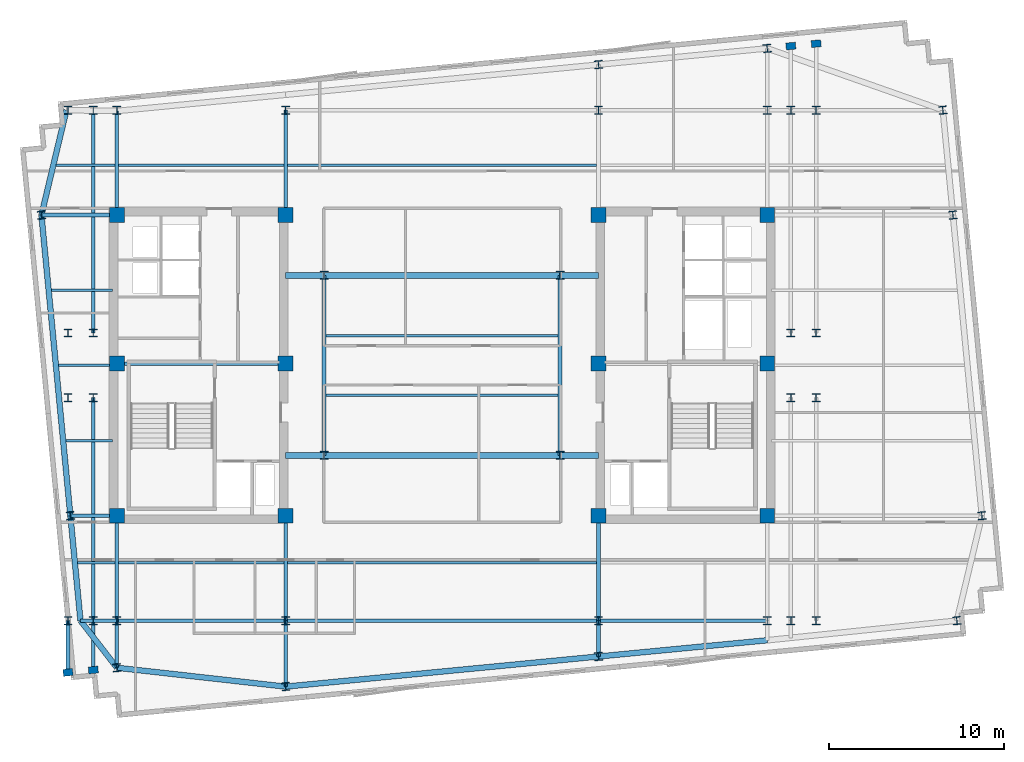
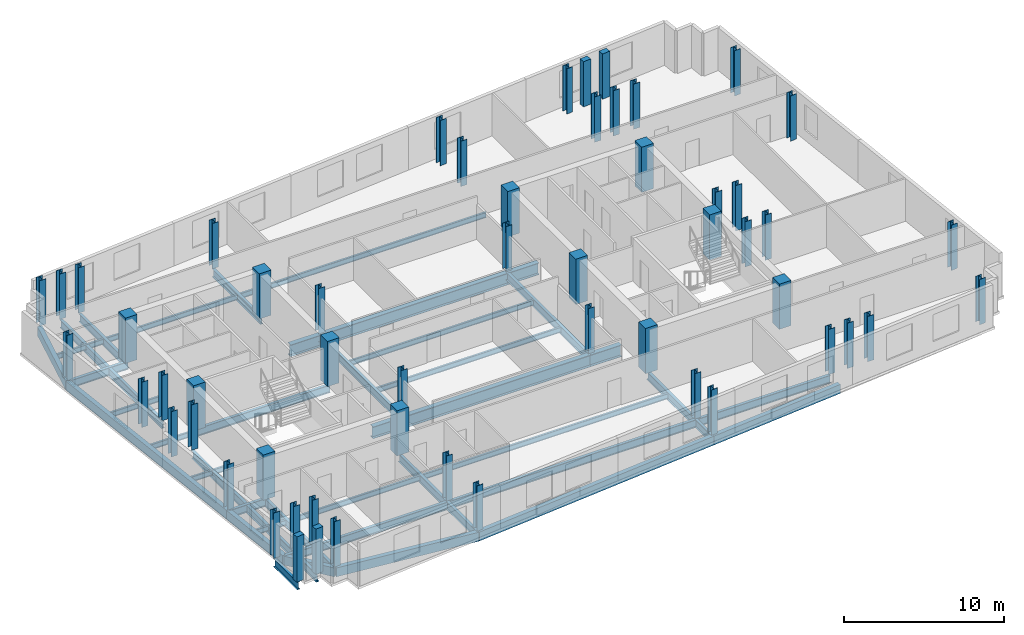
# One storey, part 1 of 8: 55 columns, 45 beams.
"""IFC4 building model written with IfcOpenShell, lengths in metres."""

from ifc_helpers import new_model, si_unit, direction, frame, origin, origin_2d, place, context, subcontext, project, spatial, rectangle, i_section, extrude, material, material_profile, profile_set, type_object, element, save


model = new_model("IFC4")

# Units and contexts
model_context = context("Model", 3, precision=1e-05, world=origin(), true_north=direction((0.0, 1.0)))
body_context = subcontext(model_context, "Body", "Model", "MODEL_VIEW")
ifc_project = project(units=[si_unit("LENGTHUNIT", "METRE"), si_unit("AREAUNIT", "SQUARE_METRE"), si_unit("VOLUMEUNIT", "CUBIC_METRE"), si_unit("PLANEANGLEUNIT", "RADIAN"), si_unit("MASSUNIT", "GRAM", prefix="KILO")], contexts=[model_context])

# Site, building, storey
site_placement = place(None, origin())
site = spatial("IfcSite", under=ifc_project, at=site_placement, CompositionType="ELEMENT")
building_placement = place(site_placement, origin())
building = spatial("IfcBuilding", under=site, at=building_placement, Name="Velakula Bourse", CompositionType="ELEMENT")
storey_placement = place(building_placement, frame((0.0, 0.0, 255.14990234375)))
storey = spatial("IfcBuildingStorey", under=building, at=storey_placement, Name="L69", CompositionType="ELEMENT", Elevation=255.14990234375)

# Columns
ifc_material_1 = material(Name="Concrete M50 (fck 50 MPa)", Category="concrete")
ifc_material_profile_1 = material_profile(ifc_material_1, rectangle(XDim=0.85009765625, YDim=0.85009765625, at=origin_2d()), Name="Concrete M50 (fck 50 MPa)")
ifc_profile_set_1 = profile_set([ifc_material_profile_1], Name="Concrete M50 (fck 50 MPa)")
column_type_1 = type_object("IfcColumnType", Name="COL-RC-850", PredefinedType="COLUMN", material=ifc_profile_set_1)
for number, where, z_axis, x_axis, name in (
    (1, (-8.949951171875, -8.60009765625, 0.0), (0.0, 0.0, 1.0), (1.0, 0.0, 0.0), "L69 Core Boundary Column 01"),
    (2, (-8.949951171875, 0.10009765625, 0.0), (0.0, 0.0, 1.0), (1.0, 0.0, 0.0), "L69 Core Boundary Column 02"),
    (3, (-8.949951171875, 8.60009765625, 0.0), (0.0, 0.0, 1.0), (1.0, 0.0, 0.0), "L69 Core Boundary Column 03"),
    (4, (-18.60009765625, -8.60009765625, 0.0), (0.0, 0.0, 1.0), (1.0, 0.0, 0.0), "L69 Core Boundary Column 04"),
    (5, (-18.60009765625, 0.10009765625, 0.0), (0.0, 0.0, 1.0), (1.0, 0.0, 0.0), "L69 Core Boundary Column 05"),
    (6, (-18.60009765625, 8.60009765625, 0.0), (0.0, 0.0, 1.0), (1.0, 0.0, 0.0), "L69 Core Boundary Column 06"),
    (7, (8.949951171875, -8.60009765625, 0.0), (0.0, 0.0, 1.0), (1.0, 0.0, 0.0), "L69 Core Boundary Column 07"),
    (8, (8.949951171875, 0.10009765625, 0.0), (0.0, 0.0, 1.0), (1.0, 0.0, 0.0), "L69 Core Boundary Column 08"),
    (9, (8.949951171875, 8.60009765625, 0.0), (0.0, 0.0, 1.0), (1.0, 0.0, 0.0), "L69 Core Boundary Column 09"),
    (10, (18.60009765625, -8.60009765625, 0.0), (0.0, 0.0, 1.0), (1.0, 0.0, 0.0), "L69 Core Boundary Column 10"),
    (11, (18.60009765625, 0.10009765625, 0.0), (0.0, 0.0, 1.0), (1.0, 0.0, 0.0), "L69 Core Boundary Column 11"),
    (12, (18.60009765625, 8.60009765625, 0.0), (0.0, 0.0, 1.0), (1.0, 0.0, 0.0), "L69 Core Boundary Column 12"),
):
    element("IfcColumn", number, at=place(storey_placement, frame(where, z_axis=z_axis, x_axis=x_axis)), inside=storey, type_object=column_type_1, Name=name, PredefinedType="COLUMN", context=body_context, shape_type="SweptSolid", body=[
        extrude(rectangle(XDim=0.85009765625, YDim=0.85009765625, at=origin_2d()), origin(), (0.0, 0.0, 1.0), 3.4501953125),
    ])
ifc_material_2 = material(Name="Steel IS 2062 Grade 350 (E350)", Category="steel")
ifc_material_profile_2 = material_profile(ifc_material_2, i_section(OverallWidth=0.449951171875, OverallDepth=0.449951171875, WebThickness=0.02197265625, FlangeThickness=0.031982421875, at=origin_2d()), Name="Steel IS 2062 Grade 350 (E350)")
ifc_profile_set_2 = profile_set([ifc_material_profile_2], Name="Steel IS 2062 Grade 350 (E350)")
column_type_2 = type_object("IfcColumnType", Name="COL-STL-450", PredefinedType="COLUMN", material=ifc_profile_set_2)
for number, where, z_axis, x_axis, name in (
    (13, (-6.75, -5.14990234375, 0.0), (0.0, 0.0, 1.0), (1.0, 0.0, 0.0), "L69 Central Spine Column 01"),
    (14, (-6.75, 5.14990234375, 0.0), (0.0, 0.0, 1.0), (1.0, 0.0, 0.0), "L69 Central Spine Column 02"),
    (15, (6.75, -5.14990234375, 0.0), (0.0, 0.0, 1.0), (1.0, 0.0, 0.0), "L69 Central Spine Column 03"),
    (16, (6.75, 5.14990234375, 0.0), (0.0, 0.0, 1.0), (1.0, 0.0, 0.0), "L69 Central Spine Column 04"),
    (17, (-21.39990234375, -14.60009765625, 0.0), (0.0, 0.0, 1.0), (1.0, 0.0, 0.0), "L69 Tower Fulcrum Column 01"),
    (18, (-21.39990234375, 14.60009765625, 0.0), (0.0, 0.0, 1.0), (1.0, 0.0, 0.0), "L69 Tower Fulcrum Column 02"),
    (19, (-19.949951171875, -14.60009765625, 0.0), (0.0, 0.0, 1.0), (1.0, 0.0, 0.0), "L69 Tower Fulcrum Column 03"),
    (20, (-19.949951171875, 14.60009765625, 0.0), (0.0, 0.0, 1.0), (1.0, 0.0, 0.0), "L69 Tower Fulcrum Column 04"),
    (21, (-18.60009765625, -14.60009765625, 0.0), (0.0, 0.0, 1.0), (1.0, 0.0, 0.0), "L69 Tower Fulcrum Column 05"),
    (22, (-18.60009765625, 14.60009765625, 0.0), (0.0, 0.0, 1.0), (1.0, 0.0, 0.0), "L69 Tower Fulcrum Column 06"),
    (23, (-8.949951171875, -14.60009765625, 0.0), (0.0, 0.0, 1.0), (1.0, 0.0, 0.0), "L69 Tower Fulcrum Column 07"),
    (24, (-8.949951171875, 14.60009765625, 0.0), (0.0, 0.0, 1.0), (1.0, 0.0, 0.0), "L69 Tower Fulcrum Column 08"),
    (25, (8.949951171875, -14.60009765625, 0.0), (0.0, 0.0, 1.0), (1.0, 0.0, 0.0), "L69 Tower Fulcrum Column 09"),
    (26, (8.949951171875, 14.60009765625, 0.0), (0.0, 0.0, 1.0), (1.0, 0.0, 0.0), "L69 Tower Fulcrum Column 10"),
    (27, (18.60009765625, -14.60009765625, 0.0), (0.0, 0.0, 1.0), (1.0, 0.0, 0.0), "L69 Tower Fulcrum Column 11"),
    (28, (18.60009765625, 14.60009765625, 0.0), (0.0, 0.0, 1.0), (1.0, 0.0, 0.0), "L69 Tower Fulcrum Column 12"),
    (29, (19.949951171875, -14.60009765625, 0.0), (0.0, 0.0, 1.0), (1.0, 0.0, 0.0), "L69 Tower Fulcrum Column 13"),
    (30, (19.949951171875, 14.60009765625, 0.0), (0.0, 0.0, 1.0), (1.0, 0.0, 0.0), "L69 Tower Fulcrum Column 14"),
    (31, (21.39990234375, -14.60009765625, 0.0), (0.0, 0.0, 1.0), (1.0, 0.0, 0.0), "L69 Tower Fulcrum Column 15"),
    (32, (21.39990234375, 14.60009765625, 0.0), (0.0, 0.0, 1.0), (1.0, 0.0, 0.0), "L69 Tower Fulcrum Column 16"),
    (33, (-21.39990234375, -1.85009765625, 0.0), (0.0, 0.0, 1.0), (1.0, 0.0, 0.0), "L69 Tower Fulcrum Column 17"),
    (34, (-21.39990234375, 1.85009765625, 0.0), (0.0, 0.0, 1.0), (1.0, 0.0, 0.0), "L69 Tower Fulcrum Column 18"),
    (35, (-19.949951171875, -1.85009765625, 0.0), (0.0, 0.0, 1.0), (1.0, 0.0, 0.0), "L69 Tower Fulcrum Column 19"),
    (36, (-19.949951171875, 1.85009765625, 0.0), (0.0, 0.0, 1.0), (1.0, 0.0, 0.0), "L69 Tower Fulcrum Column 20"),
    (37, (19.949951171875, -1.85009765625, 0.0), (0.0, 0.0, 1.0), (1.0, 0.0, 0.0), "L69 Tower Fulcrum Column 21"),
    (38, (19.949951171875, 1.85009765625, 0.0), (0.0, 0.0, 1.0), (1.0, 0.0, 0.0), "L69 Tower Fulcrum Column 22"),
    (39, (21.39990234375, -1.85009765625, 0.0), (0.0, 0.0, 1.0), (1.0, 0.0, 0.0), "L69 Tower Fulcrum Column 23"),
    (40, (21.39990234375, 1.85009765625, 0.0), (0.0, 0.0, 1.0), (1.0, 0.0, 0.0), "L69 Tower Fulcrum Column 24"),
    (41, (-18.60009765625, -17.294921875, 0.0), (0.0, 0.0, 1.0), (0.995396198367, 0.09584575252, 0.0), "L69 Block B6 Perimeter Column S1"),
    (42, (-8.949951171875, -18.375, 0.0), (0.0, 0.0, 1.0), (0.995396198367, 0.09584575252, 0.0), "L69 Block B6 Perimeter Column S2"),
    (43, (8.949951171875, -16.6513671875, 0.0), (0.0, 0.0, 1.0), (0.995396198367, 0.09584575252, 0.0), "L69 Block B6 Perimeter Column S3"),
    (44, (8.949951171875, 17.20458984375, 0.0), (0.0, 0.0, 1.0), (0.995396198367, 0.09584575252, 0.0), "L69 Block B6 Perimeter Column N3"),
    (45, (18.60009765625, 18.1337890625, 0.0), (0.0, 0.0, 1.0), (0.995396198367, 0.09584575252, 0.0), "L69 Block B6 Perimeter Column N4"),
    (46, (-21.26123046875, -8.60009765625, 0.0), (0.0, 0.0, 1.0), (0.995396198367, 0.09584575252, 0.0), "L69 Block B6 Perimeter Column W2"),
    (47, (-22.91748046875, 8.60009765625, 0.0), (0.0, 0.0, 1.0), (0.995396198367, 0.09584575252, 0.0), "L69 Block B6 Perimeter Column W3"),
    (48, (29.447265625, -14.60009765625, 0.0), (0.0, 0.0, 1.0), (0.995396198367, 0.09584575252, 0.0), "L69 Block B6 Perimeter Column E1"),
    (49, (30.87890625, -8.60009765625, 0.0), (0.0, 0.0, 1.0), (0.995396198367, 0.09584575252, 0.0), "L69 Block B6 Perimeter Column E2"),
    (50, (29.22265625, 8.60009765625, 0.0), (0.0, 0.0, 1.0), (0.995396198367, 0.09584575252, 0.0), "L69 Block B6 Perimeter Column E3"),
    (51, (28.64501953125, 14.60009765625, 0.0), (0.0, 0.0, 1.0), (0.995396198367, 0.09584575252, 0.0), "L69 Block B6 Perimeter Column E4"),
):
    element("IfcColumn", number, at=place(storey_placement, frame(where, z_axis=z_axis, x_axis=x_axis)), inside=storey, type_object=column_type_2, Name=name, PredefinedType="COLUMN", context=body_context, shape_type="SweptSolid", body=[
        extrude(i_section(OverallWidth=0.449951171875, OverallDepth=0.449951171875, WebThickness=0.02197265625, FlangeThickness=0.031982421875, at=origin_2d()), origin(), (0.0, 0.0, 1.0), 3.4501953125),
    ])
ifc_material_3 = material(Name="Precast concrete M45 (fck 45 MPa)", Category="concrete")
ifc_material_profile_3 = material_profile(ifc_material_3, rectangle(XDim=0.550048828125, YDim=0.39990234375, at=origin_2d()), Name="Precast concrete M45 (fck 45 MPa)")
ifc_profile_set_3 = profile_set([ifc_material_profile_3], Name="Precast concrete M45 (fck 45 MPa)")
column_type_3 = type_object("IfcColumnType", Name="PIL-BRICK-550", PredefinedType="PILASTER", material=ifc_profile_set_3)
for number, where, z_axis, x_axis, name in (
    (52, (-21.39990234375, -17.564453125, 0.0), (0.0, 0.0, 1.0), (0.995396198367, 0.09584575252, 0.0), "L69 Brick Pier Pilaster 01"),
    (53, (-19.949951171875, -17.4248046875, 0.0), (0.0, 0.0, 1.0), (0.995396198367, 0.09584575252, 0.0), "L69 Brick Pier Pilaster 02"),
    (54, (19.949951171875, 18.263671875, 0.0), (0.0, 0.0, 1.0), (0.995396198367, 0.09584575252, 0.0), "L69 Brick Pier Pilaster 07"),
    (55, (21.39990234375, 18.4033203125, 0.0), (0.0, 0.0, 1.0), (0.995396198367, 0.09584575252, 0.0), "L69 Brick Pier Pilaster 08"),
):
    element("IfcColumn", number, at=place(storey_placement, frame(where, z_axis=z_axis, x_axis=x_axis)), inside=storey, type_object=column_type_3, Name=name, PredefinedType="PILASTER", context=body_context, shape_type="SweptSolid", body=[
        extrude(rectangle(XDim=0.550048828125, YDim=0.39990234375, at=origin_2d()), origin(), (0.0, 0.0, 1.0), 3.4501953125),
    ])

# Beams
ifc_material_profile_4 = material_profile(ifc_material_2, i_section(OverallWidth=0.2099609375, OverallDepth=0.60009765625, WebThickness=0.011962890625, FlangeThickness=0.020751953125, at=origin_2d()), Name="Steel IS 2062 Grade 350 (E350)")
ifc_profile_set_4 = profile_set([ifc_material_profile_4], Name="Steel IS 2062 Grade 350 (E350)")
beam_type_1 = type_object("IfcBeamType", Name="BM-GRD-600L", PredefinedType="BEAM", material=ifc_profile_set_4)
beam_1_placement = place(storey_placement, frame((-18.60009765625, 0.10009765625, -0.47998046875), z_axis=(1.0, 0.0, 0.0), x_axis=(0.0, 1.0, 0.0)))
element("IfcBeam", 56, at=beam_1_placement, inside=storey, type_object=beam_type_1, Name="L69 Primary Backbone Girder CRW-M", PredefinedType="BEAM", context=body_context, shape_type="SweptSolid", body=[
    extrude(i_section(OverallWidth=0.2099609375, OverallDepth=0.60009765625, WebThickness=0.011962890625, FlangeThickness=0.020751953125, at=origin_2d()), origin(), (0.0, 0.0, 1.0), 9.650146484375),
])
for number, where, z_axis, x_axis, name in (
    (57, (-6.75, -5.14990234375, -0.47998046875), (0.0, 1.0, 0.0), (-1.0, 0.0, 0.0), "L69 Primary Backbone Girder SPN-W"),
    (58, (6.75, -5.14990234375, -0.47998046875), (0.0, 1.0, 0.0), (-1.0, 0.0, 0.0), "L69 Primary Backbone Girder SPN-E"),
):
    element("IfcBeam", number, at=place(storey_placement, frame(where, z_axis=z_axis, x_axis=x_axis)), inside=storey, type_object=beam_type_1, Name=name, PredefinedType="BEAM", context=body_context, shape_type="SweptSolid", body=[
        extrude(i_section(OverallWidth=0.2099609375, OverallDepth=0.60009765625, WebThickness=0.011962890625, FlangeThickness=0.020751953125, at=origin_2d()), origin(), (0.0, 0.0, 1.0), 10.2998046875),
    ])
beam_2_placement = place(storey_placement, frame((-18.60009765625, -14.60009765625, -0.47998046875), z_axis=(0.0, 1.0, 0.0), x_axis=(-1.0, 0.0, 0.0)))
element("IfcBeam", 59, at=beam_2_placement, inside=storey, type_object=beam_type_1, Name="L69 Fulcrum Grid Girder FLC-WS", PredefinedType="BEAM", context=body_context, shape_type="SweptSolid", body=[
    extrude(i_section(OverallWidth=0.2099609375, OverallDepth=0.60009765625, WebThickness=0.011962890625, FlangeThickness=0.020751953125, at=origin_2d()), origin(), (0.0, 0.0, 1.0), 6.0),
])
beam_3_placement = place(storey_placement, frame((-18.60009765625, 8.60009765625, -0.47998046875), z_axis=(0.0, 1.0, 0.0), x_axis=(-1.0, 0.0, 0.0)))
element("IfcBeam", 60, at=beam_3_placement, inside=storey, type_object=beam_type_1, Name="L69 Fulcrum Grid Girder FLC-WN", PredefinedType="BEAM", context=body_context, shape_type="SweptSolid", body=[
    extrude(i_section(OverallWidth=0.2099609375, OverallDepth=0.60009765625, WebThickness=0.011962890625, FlangeThickness=0.020751953125, at=origin_2d()), origin(), (0.0, 0.0, 1.0), 5.95166015625),
])
for number, where, z_axis, x_axis, name in (
    (61, (-8.949951171875, -14.60009765625, -0.47998046875), (0.0, 1.0, 0.0), (-1.0, 0.0, 0.0), "L69 Fulcrum Grid Girder FLC-WCS"),
    (62, (-8.949951171875, 8.60009765625, -0.47998046875), (0.0, 1.0, 0.0), (-1.0, 0.0, 0.0), "L69 Fulcrum Grid Girder FLC-WCN"),
    (63, (8.949951171875, -14.60009765625, -0.47998046875), (0.0, 1.0, 0.0), (-1.0, 0.0, 0.0), "L69 Fulcrum Grid Girder FLC-ECS"),
):
    element("IfcBeam", number, at=place(storey_placement, frame(where, z_axis=z_axis, x_axis=x_axis)), inside=storey, type_object=beam_type_1, Name=name, PredefinedType="BEAM", context=body_context, shape_type="SweptSolid", body=[
        extrude(i_section(OverallWidth=0.2099609375, OverallDepth=0.60009765625, WebThickness=0.011962890625, FlangeThickness=0.020751953125, at=origin_2d()), origin(), (0.0, 0.0, 1.0), 6.0),
    ])
beam_4_placement = place(storey_placement, frame((-18.60009765625, -14.60009765625, -0.47998046875), z_axis=(1.0, 0.0, 0.0), x_axis=(0.0, 1.0, 0.0)))
element("IfcBeam", 64, at=beam_4_placement, inside=storey, type_object=beam_type_1, Name="L69 Fulcrum Grid Girder FLC-S1", PredefinedType="BEAM", context=body_context, shape_type="SweptSolid", body=[
    extrude(i_section(OverallWidth=0.2099609375, OverallDepth=0.60009765625, WebThickness=0.011962890625, FlangeThickness=0.020751953125, at=origin_2d()), origin(), (0.0, 0.0, 1.0), 9.650146484375),
])
beam_5_placement = place(storey_placement, frame((-8.949951171875, -14.60009765625, -0.47998046875), z_axis=(1.0, 0.0, 0.0), x_axis=(0.0, 1.0, 0.0)))
element("IfcBeam", 65, at=beam_5_placement, inside=storey, type_object=beam_type_1, Name="L69 Fulcrum Grid Girder FLC-S2", PredefinedType="BEAM", context=body_context, shape_type="SweptSolid", body=[
    extrude(i_section(OverallWidth=0.2099609375, OverallDepth=0.60009765625, WebThickness=0.011962890625, FlangeThickness=0.020751953125, at=origin_2d()), origin(), (0.0, 0.0, 1.0), 17.89990234375),
])
beam_6_placement = place(storey_placement, frame((8.949951171875, -14.60009765625, -0.47998046875), z_axis=(1.0, 0.0, 0.0), x_axis=(0.0, 1.0, 0.0)))
element("IfcBeam", 66, at=beam_6_placement, inside=storey, type_object=beam_type_1, Name="L69 Fulcrum Grid Girder FLC-S3", PredefinedType="BEAM", context=body_context, shape_type="SweptSolid", body=[
    extrude(i_section(OverallWidth=0.2099609375, OverallDepth=0.60009765625, WebThickness=0.011962890625, FlangeThickness=0.020751953125, at=origin_2d()), origin(), (0.0, 0.0, 1.0), 9.650146484375),
])
beam_7_placement = place(storey_placement, frame((-19.949951171875, -14.60009765625, -0.47998046875), z_axis=(0.0, 1.0, 0.0), x_axis=(-1.0, 0.0, 0.0)))
element("IfcBeam", 67, at=beam_7_placement, inside=storey, type_object=beam_type_1, Name="L69 Fulcrum Grid Girder FLC-PSW2", PredefinedType="BEAM", context=body_context, shape_type="SweptSolid", body=[
    extrude(i_section(OverallWidth=0.2099609375, OverallDepth=0.60009765625, WebThickness=0.011962890625, FlangeThickness=0.020751953125, at=origin_2d()), origin(), (0.0, 0.0, 1.0), 12.75),
])
beam_8_placement = place(storey_placement, frame((-19.949951171875, 1.85009765625, -0.47998046875), z_axis=(0.0, 1.0, 0.0), x_axis=(-1.0, 0.0, 0.0)))
element("IfcBeam", 68, at=beam_8_placement, inside=storey, type_object=beam_type_1, Name="L69 Fulcrum Grid Girder FLC-PNW2", PredefinedType="BEAM", context=body_context, shape_type="SweptSolid", body=[
    extrude(i_section(OverallWidth=0.2099609375, OverallDepth=0.60009765625, WebThickness=0.011962890625, FlangeThickness=0.020751953125, at=origin_2d()), origin(), (0.0, 0.0, 1.0), 12.72412109375),
])
beam_9_placement = place(storey_placement, frame((-18.60009765625, -14.60009765625, -0.47998046875), z_axis=(0.0, -1.0, 0.0), x_axis=(1.0, 0.0, 0.0)))
element("IfcBeam", 69, at=beam_9_placement, inside=storey, type_object=beam_type_1, Name="L69 Perimeter Tie Girder S1", PredefinedType="BEAM", context=body_context, shape_type="SweptSolid", body=[
    extrude(i_section(OverallWidth=0.2099609375, OverallDepth=0.60009765625, WebThickness=0.011962890625, FlangeThickness=0.020751953125, at=origin_2d()), origin(), (0.0, 0.0, 1.0), 2.69482421875),
])
beam_10_placement = place(storey_placement, frame((-8.949951171875, -14.60009765625, -0.47998046875), z_axis=(0.0, -1.0, 0.0), x_axis=(1.0, 0.0, 0.0)))
element("IfcBeam", 70, at=beam_10_placement, inside=storey, type_object=beam_type_1, Name="L69 Perimeter Tie Girder S2", PredefinedType="BEAM", context=body_context, shape_type="SweptSolid", body=[
    extrude(i_section(OverallWidth=0.2099609375, OverallDepth=0.60009765625, WebThickness=0.011962890625, FlangeThickness=0.020751953125, at=origin_2d()), origin(), (0.0, 0.0, 1.0), 3.77490234375),
])
beam_11_placement = place(storey_placement, frame((8.949951171875, -14.60009765625, -0.47998046875), z_axis=(0.0, -1.0, 0.0), x_axis=(1.0, 0.0, 0.0)))
element("IfcBeam", 71, at=beam_11_placement, inside=storey, type_object=beam_type_1, Name="L69 Perimeter Tie Girder S3", PredefinedType="BEAM", context=body_context, shape_type="SweptSolid", body=[
    extrude(i_section(OverallWidth=0.2099609375, OverallDepth=0.60009765625, WebThickness=0.011962890625, FlangeThickness=0.020751953125, at=origin_2d()), origin(), (0.0, 0.0, 1.0), 2.05126953125),
])
beam_12_placement = place(storey_placement, frame((-18.60009765625, -14.60009765625, -0.47998046875), z_axis=(-1.0, 0.0, 0.0), x_axis=(0.0, -1.0, 0.0)))
element("IfcBeam", 72, at=beam_12_placement, inside=storey, type_object=beam_type_1, Name="L69 Perimeter Tie Girder W1", PredefinedType="BEAM", context=body_context, shape_type="SweptSolid", body=[
    extrude(i_section(OverallWidth=0.2099609375, OverallDepth=0.60009765625, WebThickness=0.011962890625, FlangeThickness=0.020751953125, at=origin_2d()), origin(), (0.0, 0.0, 1.0), 2.08349609375),
])
beam_13_placement = place(storey_placement, frame((-18.60009765625, -8.60009765625, -0.47998046875), z_axis=(-1.0, 0.0, 0.0), x_axis=(0.0, -1.0, 0.0)))
element("IfcBeam", 73, at=beam_13_placement, inside=storey, type_object=beam_type_1, Name="L69 Perimeter Tie Girder W2", PredefinedType="BEAM", context=body_context, shape_type="SweptSolid", body=[
    extrude(i_section(OverallWidth=0.2099609375, OverallDepth=0.60009765625, WebThickness=0.011962890625, FlangeThickness=0.020751953125, at=origin_2d()), origin(), (0.0, 0.0, 1.0), 2.6611328125),
])
beam_14_placement = place(storey_placement, frame((-18.60009765625, 8.60009765625, -0.47998046875), z_axis=(-1.0, 0.0, 0.0), x_axis=(0.0, -1.0, 0.0)))
element("IfcBeam", 74, at=beam_14_placement, inside=storey, type_object=beam_type_1, Name="L69 Perimeter Tie Girder W3", PredefinedType="BEAM", context=body_context, shape_type="SweptSolid", body=[
    extrude(i_section(OverallWidth=0.2099609375, OverallDepth=0.60009765625, WebThickness=0.011962890625, FlangeThickness=0.020751953125, at=origin_2d()), origin(), (0.0, 0.0, 1.0), 4.3173828125),
])
beam_15_placement = place(storey_placement, frame((-21.39990234375, -14.60009765625, -0.47998046875), z_axis=(0.0, -1.0, 0.0), x_axis=(1.0, 0.0, 0.0)))
element("IfcBeam", 75, at=beam_15_placement, inside=storey, type_object=beam_type_1, Name="L69 Perimeter Tie Girder P01", PredefinedType="BEAM", context=body_context, shape_type="SweptSolid", body=[
    extrude(i_section(OverallWidth=0.2099609375, OverallDepth=0.60009765625, WebThickness=0.011962890625, FlangeThickness=0.020751953125, at=origin_2d()), origin(), (0.0, 0.0, 1.0), 2.96435546875),
])
beam_16_placement = place(storey_placement, frame((-19.949951171875, -14.60009765625, -0.47998046875), z_axis=(0.0, -1.0, 0.0), x_axis=(1.0, 0.0, 0.0)))
element("IfcBeam", 76, at=beam_16_placement, inside=storey, type_object=beam_type_1, Name="L69 Perimeter Tie Girder P02", PredefinedType="BEAM", context=body_context, shape_type="SweptSolid", body=[
    extrude(i_section(OverallWidth=0.2099609375, OverallDepth=0.60009765625, WebThickness=0.011962890625, FlangeThickness=0.020751953125, at=origin_2d()), origin(), (0.0, 0.0, 1.0), 2.82470703125),
])
ifc_material_profile_5 = material_profile(ifc_material_2, i_section(OverallWidth=0.35009765625, OverallDepth=0.89990234375, WebThickness=0.02001953125, FlangeThickness=0.031982421875, at=origin_2d()), Name="Steel IS 2062 Grade 350 (E350)")
ifc_profile_set_5 = profile_set([ifc_material_profile_5], Name="Steel IS 2062 Grade 350 (E350)")
beam_type_2 = type_object("IfcBeamType", Name="BM-LNK-900", PredefinedType="BEAM", material=ifc_profile_set_5)
beam_17_placement = place(storey_placement, frame((-8.949951171875, -5.14990234375, -0.6298828125), z_axis=(1.0, 0.0, 0.0), x_axis=(0.0, 1.0, 0.0)))
element("IfcBeam", 77, at=beam_17_placement, inside=storey, type_object=beam_type_2, Name="L69 Primary Backbone Girder LNK-S1", PredefinedType="BEAM", context=body_context, shape_type="SweptSolid", body=[
    extrude(i_section(OverallWidth=0.35009765625, OverallDepth=0.89990234375, WebThickness=0.02001953125, FlangeThickness=0.031982421875, at=origin_2d()), origin(), (0.0, 0.0, 1.0), 2.199951171875),
])
beam_18_placement = place(storey_placement, frame((-6.75, -5.14990234375, -0.6298828125), z_axis=(1.0, 0.0, 0.0), x_axis=(0.0, 1.0, 0.0)))
element("IfcBeam", 78, at=beam_18_placement, inside=storey, type_object=beam_type_2, Name="L69 Primary Backbone Girder LNK-S2", PredefinedType="BEAM", context=body_context, shape_type="SweptSolid", body=[
    extrude(i_section(OverallWidth=0.35009765625, OverallDepth=0.89990234375, WebThickness=0.02001953125, FlangeThickness=0.031982421875, at=origin_2d()), origin(), (0.0, 0.0, 1.0), 13.5),
])
for number, where, z_axis, x_axis, name in (
    (79, (6.75, -5.14990234375, -0.6298828125), (1.0, 0.0, 0.0), (0.0, 1.0, 0.0), "L69 Primary Backbone Girder LNK-S3"),
    (80, (-8.949951171875, 5.14990234375, -0.6298828125), (1.0, 0.0, 0.0), (0.0, 1.0, 0.0), "L69 Primary Backbone Girder LNK-N1"),
):
    element("IfcBeam", number, at=place(storey_placement, frame(where, z_axis=z_axis, x_axis=x_axis)), inside=storey, type_object=beam_type_2, Name=name, PredefinedType="BEAM", context=body_context, shape_type="SweptSolid", body=[
        extrude(i_section(OverallWidth=0.35009765625, OverallDepth=0.89990234375, WebThickness=0.02001953125, FlangeThickness=0.031982421875, at=origin_2d()), origin(), (0.0, 0.0, 1.0), 2.199951171875),
    ])
beam_19_placement = place(storey_placement, frame((-6.75, 5.14990234375, -0.6298828125), z_axis=(1.0, 0.0, 0.0), x_axis=(0.0, 1.0, 0.0)))
element("IfcBeam", 81, at=beam_19_placement, inside=storey, type_object=beam_type_2, Name="L69 Primary Backbone Girder LNK-N2", PredefinedType="BEAM", context=body_context, shape_type="SweptSolid", body=[
    extrude(i_section(OverallWidth=0.35009765625, OverallDepth=0.89990234375, WebThickness=0.02001953125, FlangeThickness=0.031982421875, at=origin_2d()), origin(), (0.0, 0.0, 1.0), 13.5),
])
beam_20_placement = place(storey_placement, frame((6.75, 5.14990234375, -0.6298828125), z_axis=(1.0, 0.0, 0.0), x_axis=(0.0, 1.0, 0.0)))
element("IfcBeam", 82, at=beam_20_placement, inside=storey, type_object=beam_type_2, Name="L69 Primary Backbone Girder LNK-N3", PredefinedType="BEAM", context=body_context, shape_type="SweptSolid", body=[
    extrude(i_section(OverallWidth=0.35009765625, OverallDepth=0.89990234375, WebThickness=0.02001953125, FlangeThickness=0.031982421875, at=origin_2d()), origin(), (0.0, 0.0, 1.0), 2.199951171875),
])
ifc_material_profile_6 = material_profile(ifc_material_2, i_section(OverallWidth=0.139892578125, OverallDepth=0.39990234375, WebThickness=0.0087890625, FlangeThickness=0.01611328125, at=origin_2d()), Name="Steel IS 2062 Grade 350 (E350)")
ifc_profile_set_6 = profile_set([ifc_material_profile_6], Name="Steel IS 2062 Grade 350 (E350)")
beam_type_3 = type_object("IfcBeamType", Name="JST-TWR-400", PredefinedType="JOIST", material=ifc_profile_set_6)
beam_21_placement = place(storey_placement, frame((-20.840576171875, -11.300048828125, -0.3798828125), z_axis=(1.0, 0.0, 0.0), x_axis=(0.0, 1.0, 0.0)))
element("IfcBeam", 83, at=beam_21_placement, inside=storey, type_object=beam_type_3, Name="L69 Trading Floor Composite Joist 03", PredefinedType="JOIST", context=body_context, shape_type="SweptSolid", body=[
    extrude(i_section(OverallWidth=0.139892578125, OverallDepth=0.39990234375, WebThickness=0.0087890625, FlangeThickness=0.01611328125, at=origin_2d()), origin(), (0.0, 0.0, 1.0), 2.135498046875),
])
beam_22_placement = place(storey_placement, frame((-18.4951171875, -11.300048828125, -0.3798828125), z_axis=(1.0, 0.0, 0.0), x_axis=(0.0, 1.0, 0.0)))
element("IfcBeam", 84, at=beam_22_placement, inside=storey, type_object=beam_type_3, Name="L69 Trading Floor Composite Joist 04", PredefinedType="JOIST", context=body_context, shape_type="SweptSolid", body=[
    extrude(i_section(OverallWidth=0.139892578125, OverallDepth=0.39990234375, WebThickness=0.0087890625, FlangeThickness=0.01611328125, at=origin_2d()), origin(), (0.0, 0.0, 1.0), 9.440185546875),
])
beam_23_placement = place(storey_placement, frame((-8.844970703125, -11.300048828125, -0.3798828125), z_axis=(1.0, 0.0, 0.0), x_axis=(0.0, 1.0, 0.0)))
element("IfcBeam", 85, at=beam_23_placement, inside=storey, type_object=beam_type_3, Name="L69 Trading Floor Composite Joist 05", PredefinedType="JOIST", context=body_context, shape_type="SweptSolid", body=[
    extrude(i_section(OverallWidth=0.139892578125, OverallDepth=0.39990234375, WebThickness=0.0087890625, FlangeThickness=0.01611328125, at=origin_2d()), origin(), (0.0, 0.0, 1.0), 17.68994140625),
])
beam_24_placement = place(storey_placement, frame((-22.072998046875, 11.449951171875, -0.3798828125), z_axis=(1.0, 0.0, 0.0), x_axis=(0.0, 1.0, 0.0)))
element("IfcBeam", 86, at=beam_24_placement, inside=storey, type_object=beam_type_3, Name="L69 Trading Floor Composite Joist 08", PredefinedType="JOIST", context=body_context, shape_type="SweptSolid", body=[
    extrude(i_section(OverallWidth=0.139892578125, OverallDepth=0.39990234375, WebThickness=0.0087890625, FlangeThickness=0.01611328125, at=origin_2d()), origin(), (0.0, 0.0, 1.0), 3.367919921875),
])
beam_25_placement = place(storey_placement, frame((-18.4951171875, 11.449951171875, -0.3798828125), z_axis=(1.0, 0.0, 0.0), x_axis=(0.0, 1.0, 0.0)))
element("IfcBeam", 87, at=beam_25_placement, inside=storey, type_object=beam_type_3, Name="L69 Trading Floor Composite Joist 09", PredefinedType="JOIST", context=body_context, shape_type="SweptSolid", body=[
    extrude(i_section(OverallWidth=0.139892578125, OverallDepth=0.39990234375, WebThickness=0.0087890625, FlangeThickness=0.01611328125, at=origin_2d()), origin(), (0.0, 0.0, 1.0), 9.440185546875),
])
beam_26_placement = place(storey_placement, frame((-8.844970703125, 11.449951171875, -0.3798828125), z_axis=(1.0, 0.0, 0.0), x_axis=(0.0, 1.0, 0.0)))
element("IfcBeam", 88, at=beam_26_placement, inside=storey, type_object=beam_type_3, Name="L69 Trading Floor Composite Joist 10", PredefinedType="JOIST", context=body_context, shape_type="SweptSolid", body=[
    extrude(i_section(OverallWidth=0.139892578125, OverallDepth=0.39990234375, WebThickness=0.0087890625, FlangeThickness=0.01611328125, at=origin_2d()), origin(), (0.0, 0.0, 1.0), 17.68994140625),
])
for number, where, z_axis, x_axis, name in (
    (89, (-6.64501953125, -1.699951171875, -0.3798828125), (1.0, 0.0, 0.0), (0.0, 1.0, 0.0), "L69 Trading Floor Composite Joist 14"),
    (90, (-6.64501953125, 1.699951171875, -0.3798828125), (1.0, 0.0, 0.0), (0.0, 1.0, 0.0), "L69 Trading Floor Composite Joist 15"),
):
    element("IfcBeam", number, at=place(storey_placement, frame(where, z_axis=z_axis, x_axis=x_axis)), inside=storey, type_object=beam_type_3, Name=name, PredefinedType="JOIST", context=body_context, shape_type="SweptSolid", body=[
        extrude(i_section(OverallWidth=0.139892578125, OverallDepth=0.39990234375, WebThickness=0.0087890625, FlangeThickness=0.01611328125, at=origin_2d()), origin(), (0.0, 0.0, 1.0), 13.2900390625),
    ])
beam_27_placement = place(storey_placement, frame((-21.514404296875, -4.300048828125, -0.3798828125), z_axis=(1.0, 0.0, 0.0), x_axis=(0.0, 1.0, 0.0)))
element("IfcBeam", 91, at=beam_27_placement, inside=storey, type_object=beam_type_3, Name="L69 Trading Floor Composite Joist 16", PredefinedType="JOIST", context=body_context, shape_type="SweptSolid", body=[
    extrude(i_section(OverallWidth=0.139892578125, OverallDepth=0.39990234375, WebThickness=0.0087890625, FlangeThickness=0.01611328125, at=origin_2d()), origin(), (0.0, 0.0, 1.0), 2.664306640625),
])
beam_28_placement = place(storey_placement, frame((-21.9287109375, 0.0, -0.3798828125), z_axis=(1.0, 0.0, 0.0), x_axis=(0.0, 1.0, 0.0)))
element("IfcBeam", 92, at=beam_28_placement, inside=storey, type_object=beam_type_3, Name="L69 Trading Floor Composite Joist 18", PredefinedType="JOIST", context=body_context, shape_type="SweptSolid", body=[
    extrude(i_section(OverallWidth=0.139892578125, OverallDepth=0.39990234375, WebThickness=0.0087890625, FlangeThickness=0.01611328125, at=origin_2d()), origin(), (0.0, 0.0, 1.0), 3.07861328125),
])
beam_29_placement = place(storey_placement, frame((-22.342529296875, 4.300048828125, -0.3798828125), z_axis=(1.0, 0.0, 0.0), x_axis=(0.0, 1.0, 0.0)))
element("IfcBeam", 93, at=beam_29_placement, inside=storey, type_object=beam_type_3, Name="L69 Trading Floor Composite Joist 20", PredefinedType="JOIST", context=body_context, shape_type="SweptSolid", body=[
    extrude(i_section(OverallWidth=0.139892578125, OverallDepth=0.39990234375, WebThickness=0.0087890625, FlangeThickness=0.01611328125, at=origin_2d()), origin(), (0.0, 0.0, 1.0), 3.492431640625),
])
ifc_material_profile_7 = material_profile(ifc_material_3, rectangle(XDim=0.320068359375, YDim=0.679931640625, at=origin_2d()), Name="Precast concrete M45 (fck 45 MPa)")
ifc_profile_set_7 = profile_set([ifc_material_profile_7], Name="Precast concrete M45 (fck 45 MPa)")
beam_type_4 = type_object("IfcBeamType", Name="SPN-BRICK-680", PredefinedType="SPANDREL", material=ifc_profile_set_7)
beam_30_placement = place(storey_placement, frame((-18.60009765625, -17.294921875, -0.52001953125), z_axis=(0.993794803874, -0.111228988093, 0.0), x_axis=(0.111228988093, 0.993794803874, 0.0)))
element("IfcBeam", 94, at=beam_30_placement, inside=storey, type_object=beam_type_4, Name="L69 Brick-Faced Precast Spandrel S1-S2", PredefinedType="SPANDREL", context=body_context, shape_type="SweptSolid", body=[
    extrude(rectangle(XDim=0.320068359375, YDim=0.679931640625, at=origin_2d()), origin(), (0.0, 0.0, 1.0), 9.71044921875),
])
beam_31_placement = place(storey_placement, frame((-8.949951171875, -18.375, -0.52001953125), z_axis=(0.995395836254, 0.095849513134, 0.0), x_axis=(-0.095849513134, 0.995395836254, 0.0)))
element("IfcBeam", 95, at=beam_31_placement, inside=storey, type_object=beam_type_4, Name="L69 Brick-Faced Precast Spandrel S2-S3", PredefinedType="SPANDREL", context=body_context, shape_type="SweptSolid", body=[
    extrude(rectangle(XDim=0.320068359375, YDim=0.679931640625, at=origin_2d()), origin(), (0.0, 0.0, 1.0), 17.982666015625),
])
beam_32_placement = place(storey_placement, frame((8.949951171875, -16.6513671875, -0.52001953125), z_axis=(0.99539623971, 0.095845323155, 0.0), x_axis=(-0.095845323155, 0.99539623971, 0.0)))
element("IfcBeam", 96, at=beam_32_placement, inside=storey, type_object=beam_type_4, Name="L69 Brick-Faced Precast Spandrel S3-S4", PredefinedType="SPANDREL", context=body_context, shape_type="SweptSolid", body=[
    extrude(rectangle(XDim=0.320068359375, YDim=0.679931640625, at=origin_2d()), origin(), (0.0, 0.0, 1.0), 9.69482421875),
])
beam_33_placement = place(storey_placement, frame((-20.68359375, -14.60009765625, -0.52001953125), z_axis=(-0.095829714309, 0.995397742541, 0.0), x_axis=(-0.995397742541, -0.095829714309, 0.0)))
element("IfcBeam", 97, at=beam_33_placement, inside=storey, type_object=beam_type_4, Name="L69 Brick-Faced Precast Spandrel W1-W2", PredefinedType="SPANDREL", context=body_context, shape_type="SweptSolid", body=[
    extrude(rectangle(XDim=0.320068359375, YDim=0.679931640625, at=origin_2d()), origin(), (0.0, 0.0, 1.0), 6.02783203125),
])
beam_34_placement = place(storey_placement, frame((-21.26123046875, -8.60009765625, -0.52001953125), z_axis=(-0.095849167925, 0.995395869495, 0.0), x_axis=(-0.995395869495, -0.095849167925, 0.0)))
element("IfcBeam", 98, at=beam_34_placement, inside=storey, type_object=beam_type_4, Name="L69 Brick-Faced Precast Spandrel W2-W3", PredefinedType="SPANDREL", context=body_context, shape_type="SweptSolid", body=[
    extrude(rectangle(XDim=0.320068359375, YDim=0.679931640625, at=origin_2d()), origin(), (0.0, 0.0, 1.0), 17.27978515625),
])
beam_35_placement = place(storey_placement, frame((-22.91748046875, 8.60009765625, -0.52001953125), z_axis=(0.232091371601, 0.972693988482, 0.0), x_axis=(-0.972693988482, 0.232091371601, 0.0)))
element("IfcBeam", 99, at=beam_35_placement, inside=storey, type_object=beam_type_4, Name="L69 Brick-Faced Precast Spandrel W3-W4", PredefinedType="SPANDREL", context=body_context, shape_type="SweptSolid", body=[
    extrude(rectangle(XDim=0.320068359375, YDim=0.679931640625, at=origin_2d()), origin(), (0.0, 0.0, 1.0), 6.16845703125),
])
beam_36_placement = place(storey_placement, frame((-20.68359375, -14.60009765625, -0.52001953125), z_axis=(0.61165554427, -0.791124197053, 0.0), x_axis=(0.791124197053, 0.61165554427, 0.0)))
element("IfcBeam", 100, at=beam_36_placement, inside=storey, type_object=beam_type_4, Name="L69 Brick-Faced Precast Spandrel W1-S1", PredefinedType="SPANDREL", context=body_context, shape_type="SweptSolid", body=[
    extrude(rectangle(XDim=0.320068359375, YDim=0.679931640625, at=origin_2d()), origin(), (0.0, 0.0, 1.0), 3.40625),
])

save(model, "model.ifc")
